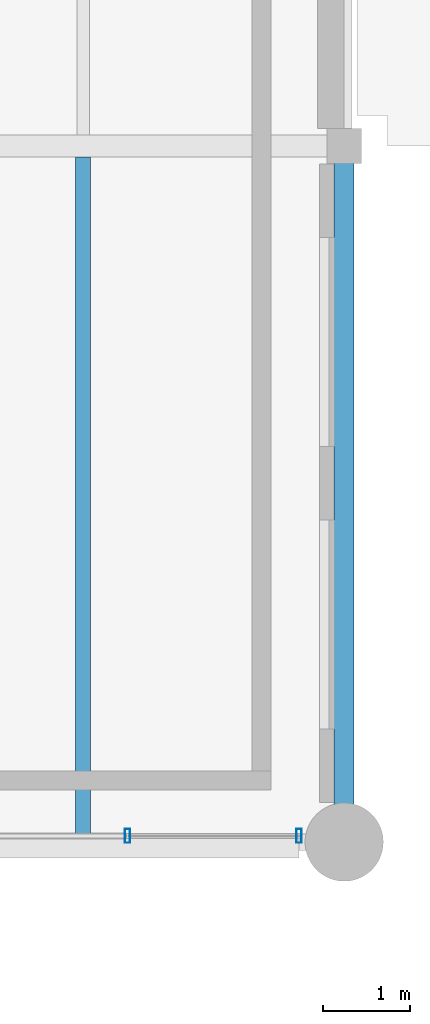
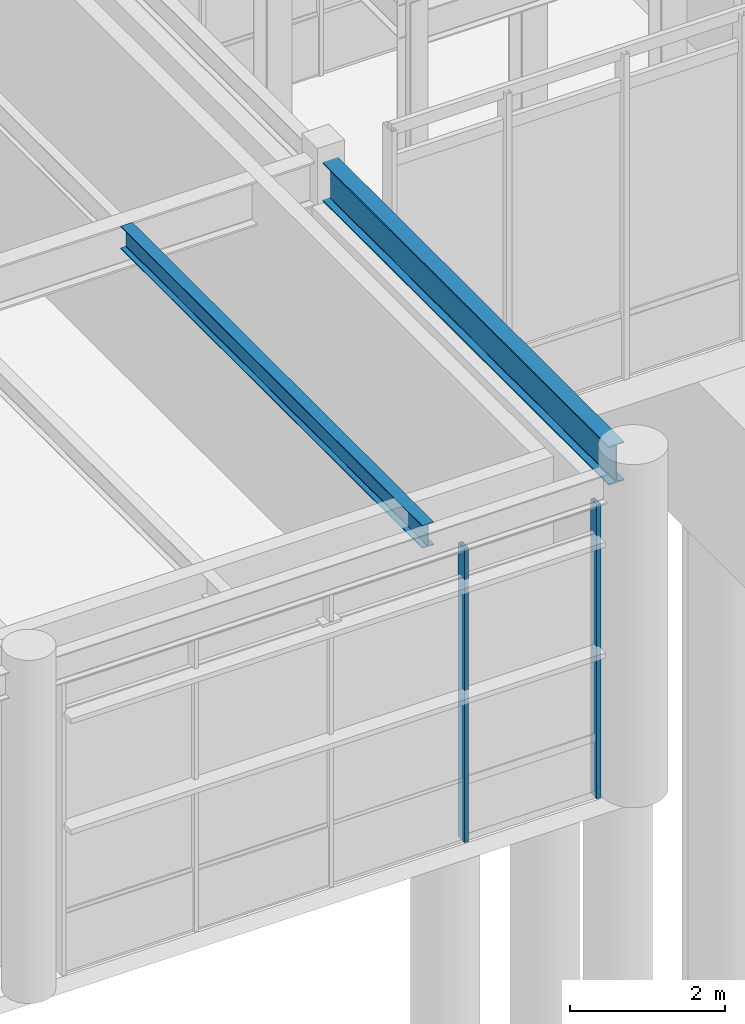
# One storey, part 94 of 203: 2 beams, 2 members, 1 element without a shape of its own.
"""IFC4 building model written with IfcOpenShell, lengths in metres."""

from ifc_helpers import new_model, si_unit, direction, frame, origin, origin_2d, place, context, subcontext, project, spatial, hollow_rectangle, i_section, extrude, material, material_profile, profile_set, type_object, element, aggregate, save


model = new_model("IFC4")

# Units and contexts
model_context = context("Model", 3, precision=1e-05, world=origin(), true_north=direction((0.0, 1.0)))
body_context = subcontext(model_context, "Body", "Model", "MODEL_VIEW")
ifc_project = project(units=[si_unit("LENGTHUNIT", "METRE"), si_unit("AREAUNIT", "SQUARE_METRE"), si_unit("VOLUMEUNIT", "CUBIC_METRE"), si_unit("PLANEANGLEUNIT", "RADIAN"), si_unit("MASSUNIT", "GRAM", prefix="KILO"), si_unit("THERMODYNAMICTEMPERATUREUNIT", "KELVIN"), si_unit("POWERUNIT", "WATT")], contexts=[model_context])

# Site, building, storey
site_placement = place(None, origin())
site = spatial("IfcSite", under=ifc_project, at=site_placement, CompositionType="ELEMENT")
building_placement = place(site_placement, origin())
building = spatial("IfcBuilding", under=site, at=building_placement, Name="Tepalcoro Natatorium and Aquatics Centre", CompositionType="ELEMENT")
storey_placement = place(building_placement, origin())
storey = spatial("IfcBuildingStorey", under=building, at=storey_placement, Name="L00", CompositionType="ELEMENT", Elevation=0.0)

# Curtain wall, members
ifc_material_1 = material(Name="Bronze-Anodised Extruded Aluminium Alloy EN AW-6063 T6", Category="aluminium")
curtain_wall_type = type_object("IfcCurtainWallType", Name="CW_LEAN_T2_EW", PredefinedType="USERDEFINED", material=ifc_material_1)
curtain_wall_placement = place(storey_placement, origin())
curtain_wall = element("IfcCurtainWall", 1, at=curtain_wall_placement, inside=storey, type_object=curtain_wall_type, Name="V4 L00 S Unitised Curtain Wall Bay 9", ObjectType="FACETED SOLAR GLAZING", PredefinedType="USERDEFINED")
ifc_material_profile_1 = material_profile(ifc_material_1, hollow_rectangle(XDim=0.06005859375, YDim=0.159912109375, WallThickness=0.00390625, at=origin_2d()), Name="AL60X160X4")
ifc_profile_set_1 = profile_set([ifc_material_profile_1], Name="Bronze-Anodised Extruded Aluminium Alloy EN AW-6063 T6")
member_type = type_object("IfcMemberType", Name="CW_MUL_60x160", PredefinedType="MULLION", material=ifc_profile_set_1)
member_1_placement = place(storey_placement, frame((86.510009765625, 86.0712890625, 0.02001953125), z_axis=(0.0, 0.0, 1.0), x_axis=(1.0, 0.0, 0.0)))
member_1 = element("IfcMember", 2, at=member_1_placement, type_object=member_type, Name="CW_LEAN_T2_EW Curtain Wall Mullion", PredefinedType="MULLION", context=body_context, shape_type="SweptSolid", body=[
    extrude(hollow_rectangle(XDim=0.06005859375, YDim=0.159912109375, WallThickness=0.00390625, at=origin_2d()), origin(), (0.0, 0.0, 1.0), 4.6298828125),
])
member_2_placement = place(storey_placement, frame((88.47998046875, 86.0712890625, 0.02001953125), z_axis=(0.0, 0.0, 1.0), x_axis=(1.0, 0.0, 0.0)))
member_2 = element("IfcMember", 3, at=member_2_placement, type_object=member_type, Name="CW_LEAN_T2_EW Curtain Wall Mullion", PredefinedType="MULLION", context=body_context, shape_type="SweptSolid", body=[
    extrude(hollow_rectangle(XDim=0.06005859375, YDim=0.159912109375, WallThickness=0.00390625, at=origin_2d()), origin(), (0.0, 0.0, 1.0), 4.6298828125),
])
aggregate(curtain_wall, [member_1, member_2])

# Beams
ifc_material_2 = material(Name="Steel ASTM A992 Grade 50 (Fy 345 MPa)", Category="steel")
ifc_material_profile_2 = material_profile(ifc_material_2, i_section(OverallWidth=0.172119140625, OverallDepth=0.35791015625, WebThickness=0.008056640625, FlangeThickness=0.012939453125, FilletRadius=0.013916015625, at=origin_2d()), Name="W14X38")
ifc_profile_set_2 = profile_set([ifc_material_profile_2], Name="Steel ASTM A992 Grade 50 (Fy 345 MPa)")
beam_type_1 = type_object("IfcBeamType", Name="JS_W14x38", PredefinedType="JOIST", material=ifc_profile_set_2)
beam_1_placement = place(storey_placement, frame((86.0, 86.095458984375, 4.966064453125), z_axis=(0.0, 1.0, 0.0), x_axis=(-1.0, 0.0, 0.0)))
element("IfcBeam", 4, at=beam_1_placement, inside=storey, type_object=beam_type_1, Name="V4 L00 Floor Joist", PredefinedType="JOIST", context=body_context, shape_type="SweptSolid", body=[
    extrude(i_section(OverallWidth=0.172119140625, OverallDepth=0.35791015625, WebThickness=0.008056640625, FlangeThickness=0.012939453125, FilletRadius=0.013916015625, at=origin_2d()), origin(), (0.0, 0.0, 1.0), 7.777587890625),
])
ifc_material_profile_3 = material_profile(ifc_material_2, i_section(OverallWidth=0.22900390625, OverallDepth=0.612060546875, WebThickness=0.011962890625, FlangeThickness=0.02001953125, FilletRadius=0.013916015625, at=origin_2d()), Name="W24X84")
ifc_profile_set_3 = profile_set([ifc_material_profile_3], Name="Steel ASTM A992 Grade 50 (Fy 345 MPa)")
beam_type_2 = type_object("IfcBeamType", Name="SP_W24x84", PredefinedType="SPANDREL", material=ifc_profile_set_3)
beam_2_placement = place(storey_placement, frame((89.0, 86.43505859375, 4.839111328125), z_axis=(0.0, 1.0, 0.0), x_axis=(-1.0, 0.0, 0.0)))
element("IfcBeam", 5, at=beam_2_placement, inside=storey, type_object=beam_type_2, Name="V4 L00 Grid Girder Y", PredefinedType="SPANDREL", context=body_context, shape_type="SweptSolid", body=[
    extrude(i_section(OverallWidth=0.22900390625, OverallDepth=0.612060546875, WebThickness=0.011962890625, FlangeThickness=0.02001953125, FilletRadius=0.013916015625, at=origin_2d()), origin(), (0.0, 0.0, 1.0), 7.3798828125),
])

save(model, "model.ifc")
